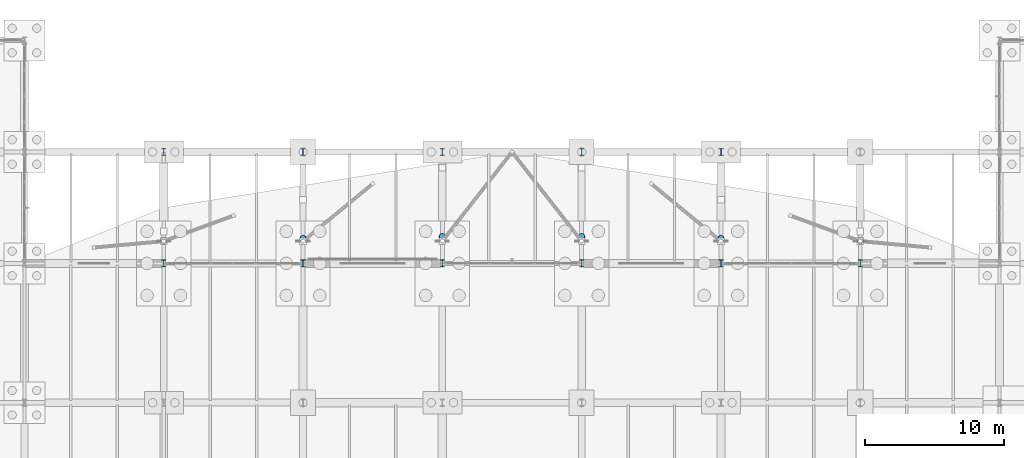
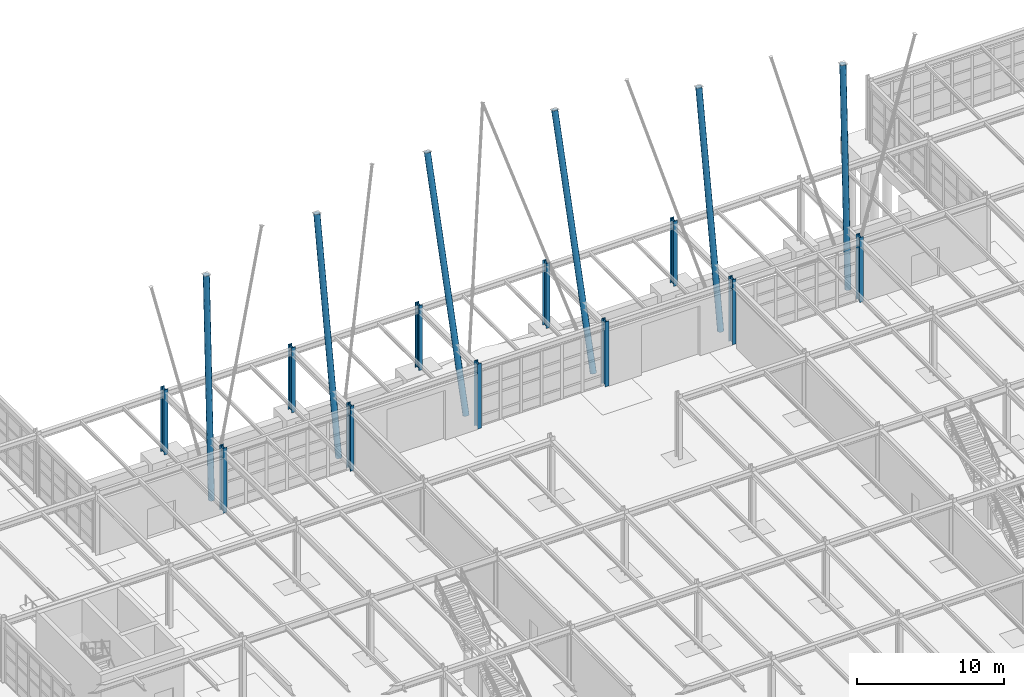
# One storey, part 24 of 145: 17 columns.
"""IFC4 building model written with IfcOpenShell, lengths in metres."""

import ifcopenshell
import ifcopenshell.guid

model = None  # the IFC model being written
_history = None  # IfcOwnerHistory: only IFC2X3 demands one
_inside = {}  # id of a spatial element -> (the spatial element, [elements in it])
_under = {}  # id of a project, library or spatial element -> (it, [spatial elements below it])
_declared = {}  # id of a project -> (the project, [libraries it declares])
_typed = {}  # id of a type object -> (the type object, [elements of that type])
_made_of = {}  # id of a material, layer set ... -> (it, [elements and type objects made of it])


def new_model(schema):
    """Start an empty IFC model of exactly this schema.

    Asked for "IFC4X3", IfcOpenShell would pick the latest addendum, in which some entities
    have other attributes; the version numbers below select the first issue.
    IFC2X3 requires an IfcOwnerHistory on every rooted entity: one is made here for all.
    """
    global model, _history
    if schema == "IFC4X3":
        model = ifcopenshell.file(schema_version=(4, 3, 0, 0))
    else:
        model = ifcopenshell.file(schema=schema)
    _inside.clear()
    _under.clear()
    _declared.clear()
    _typed.clear()
    _made_of.clear()
    _history = None
    if model.schema == "IFC2X3":
        org = make("IfcOrganization", Name="unknown")
        user = make(
            "IfcPersonAndOrganization",
            ThePerson=make("IfcPerson", FamilyName="unknown"),
            TheOrganization=org,
        )
        app = make(
            "IfcApplication",
            ApplicationDeveloper=org,
            Version="unknown",
            ApplicationFullName="unknown",
            ApplicationIdentifier="unknown",
        )
        _history = make(
            "IfcOwnerHistory",
            OwningUser=user,
            OwningApplication=app,
            ChangeAction="ADDED",
            CreationDate=0,
        )
    return model


def make(cls, **values):
    """One entity of the class cls with the attributes given. An attribute that is None is left unset."""
    return model.create_entity(
        cls, **{name: value for name, value in values.items() if value is not None}
    )


def rooted(cls, **values):
    """An entity with a GlobalId (a new one), such as an element, a storey or a relation."""
    return make(cls, GlobalId=ifcopenshell.guid.new(), OwnerHistory=_history, **values)


def si_unit(unit_type, name, prefix=None):
    """IfcSIUnit, for example si_unit("LENGTHUNIT", "METRE", prefix="MILLI")."""
    return make("IfcSIUnit", UnitType=unit_type, Prefix=prefix, Name=name)


def assignment(units):
    """IfcUnitAssignment: the units of a project."""
    return None if units is None else make("IfcUnitAssignment", Units=units)


def point(xyz):
    """IfcCartesianPoint."""
    return None if xyz is None else make("IfcCartesianPoint", Coordinates=xyz)


def direction(xyz):
    """IfcDirection."""
    return None if xyz is None else make("IfcDirection", DirectionRatios=xyz)


def frame(location, z_axis=None, x_axis=None):
    """IfcAxis2Placement3D, a coordinate frame: its origin and axes. An axis left out is left unset."""
    return make(
        "IfcAxis2Placement3D",
        Location=point(location),
        Axis=direction(z_axis),
        RefDirection=direction(x_axis),
    )


def frame_2d(location, x_axis=None):
    """IfcAxis2Placement2D, a coordinate frame in the plane: its origin and x axis."""
    return make(
        "IfcAxis2Placement2D", Location=point(location), RefDirection=direction(x_axis)
    )


def origin():
    """The frame at (0, 0, 0) with its axes left unset."""
    return frame((0.0, 0.0, 0.0))


def origin_2d():
    """The frame at (0, 0) in the plane with its x axis left unset."""
    return frame_2d((0.0, 0.0))


def place(relative_to, where):
    """IfcLocalPlacement: puts the frame where relative to a parent placement (None: the world)."""
    return make(
        "IfcLocalPlacement", PlacementRelTo=relative_to, RelativePlacement=where
    )


def context(
    kind, dimensions, precision=None, world=None, true_north=None, identifier=None
):
    """IfcGeometricRepresentationContext, for example the 3D "Model" context."""
    return make(
        "IfcGeometricRepresentationContext",
        ContextIdentifier=identifier,
        ContextType=kind,
        CoordinateSpaceDimension=dimensions,
        Precision=precision,
        WorldCoordinateSystem=world,
        TrueNorth=true_north,
    )


def subcontext(parent, identifier, kind, view, scale=None):
    """IfcGeometricRepresentationSubContext, for example "Body" below "Model"."""
    return make(
        "IfcGeometricRepresentationSubContext",
        ContextIdentifier=identifier,
        ContextType=kind,
        ParentContext=parent,
        TargetScale=scale,
        TargetView=view,
    )


def project(units=None, contexts=None):
    """IfcProject with its units and contexts."""
    return rooted(
        "IfcProject",
        Name="project",
        RepresentationContexts=contexts,
        UnitsInContext=assignment(units),
    )


def spatial(cls, under=None, at=None, **own):
    """A site, building, storey or space (cls), placed at a placement, below another one or the project."""
    s = rooted(cls, ObjectPlacement=at, **own)
    if under is not None:
        _under.setdefault(under.id(), (under, []))[1].append(s)
    return s


def profile(cls, at=None, kind="AREA", **sizes):
    """A parametric profile (cls). Its sizes go by their IFC names, for example OverallWidth=200.0."""
    return make(cls, ProfileType=kind, Position=at, **sizes)


def hollow_circle(**sizes):
    """IfcCircleHollowProfileDef."""
    return profile("IfcCircleHollowProfileDef", **sizes)


def i_section(**sizes):
    """IfcIShapeProfileDef."""
    return profile("IfcIShapeProfileDef", **sizes)


def extrude(swept, where, along, depth):
    """IfcExtrudedAreaSolid: the profile swept, set in the frame where, extruded along a direction by depth."""
    return make(
        "IfcExtrudedAreaSolid",
        SweptArea=swept,
        Position=where,
        ExtrudedDirection=direction(along),
        Depth=depth,
    )


def shape(context_of_items, identifier, shape_type, items):
    """IfcShapeRepresentation: the items that make up one representation, for example the "Body"."""
    return make(
        "IfcShapeRepresentation",
        ContextOfItems=context_of_items,
        RepresentationIdentifier=identifier,
        RepresentationType=shape_type,
        Items=items,
    )


def material(Name=None, Category=None):
    """IfcMaterial."""
    return make("IfcMaterial", Name=Name, Category=Category)


def material_profile(
    of_material, cross_section, Name=None, Category=None, Priority=None
):
    """IfcMaterialProfile: a cross section and its material."""
    return make(
        "IfcMaterialProfile",
        Name=Name,
        Material=of_material,
        Profile=cross_section,
        Priority=Priority,
        Category=Category,
    )


def profile_set(profiles, Name=None, composite=None):
    """IfcMaterialProfileSet."""
    return make(
        "IfcMaterialProfileSet",
        Name=Name,
        MaterialProfiles=profiles,
        CompositeProfile=composite,
    )


def made_of(thing, what):
    """Note that an element or type object is made of a material, layer set ...; save() writes the relation."""
    if what is not None:
        _made_of.setdefault(what.id(), (what, []))[1].append(thing)
    return thing


def type_object(cls, material=None, **own):
    """A type object (cls), such as IfcWallType, which elements share."""
    return made_of(rooted(cls, **own), material)


def element(
    cls,
    number,
    at=None,
    inside=None,
    cuts=None,
    type_object=None,
    material=None,
    context=None,
    identifier="Body",
    shape_type=None,
    held_by="IfcProductDefinitionShape",
    body=None,
    shapes=None,
    **own,
):
    """One element of the class cls, such as IfcWall. Its Tag is "e" and its number.

    at: its placement. inside: the storey or other place that contains it. cuts: it is an
    opening in that element (IfcRelVoidsElement). A single representation is given by context,
    identifier, shape_type and body (its items); several are given by shapes. held_by: the class
    of the entity that holds the representations. save() writes the other relations.
    """
    e = rooted(cls, Tag="e%d" % number, ObjectPlacement=at, **own)
    if body is not None:
        shapes = [shape(context, identifier, shape_type, body)]
    if shapes is not None:
        e.Representation = make(held_by, Representations=shapes)
    if inside is not None:
        _inside.setdefault(inside.id(), (inside, []))[1].append(e)
    if cuts is not None:
        rooted(
            "IfcRelVoidsElement", RelatingBuildingElement=cuts, RelatedOpeningElement=e
        )
    if type_object is not None:
        _typed.setdefault(type_object.id(), (type_object, []))[1].append(e)
    return made_of(e, material)


def aggregate(whole, parts):
    """IfcRelAggregates: a whole, such as a stair, and the parts it consists of."""
    return rooted("IfcRelAggregates", RelatingObject=whole, RelatedObjects=parts)


def save(model, path):
    """Write the relations noted so far, then the file.

    IfcRelAggregates (storeys below a building ...), IfcRelContainedInSpatialStructure (elements
    in a storey), IfcRelDefinesByType, IfcRelAssociatesMaterial and IfcRelDeclares: one each for
    every whole, place, type object, material and project.
    """
    for whole, parts in _under.values():
        aggregate(whole, parts)
    for where, things in _inside.values():
        rooted(
            "IfcRelContainedInSpatialStructure",
            RelatedElements=things,
            RelatingStructure=where,
        )
    for kind, things in _typed.values():
        rooted("IfcRelDefinesByType", RelatedObjects=things, RelatingType=kind)
    for what, things in _made_of.values():
        rooted("IfcRelAssociatesMaterial", RelatedObjects=things, RelatingMaterial=what)
    for by, libraries in _declared.values():
        rooted("IfcRelDeclares", RelatingContext=by, RelatedDefinitions=libraries)
    model.write(path)


model = new_model("IFC4")

# Units and contexts
model_context = context("Model", 3, precision=1e-05, world=origin(), true_north=direction((0.0, 1.0)))
body_context = subcontext(model_context, "Body", "Model", "MODEL_VIEW")
ifc_project = project(units=[si_unit("LENGTHUNIT", "METRE"), si_unit("AREAUNIT", "SQUARE_METRE"), si_unit("VOLUMEUNIT", "CUBIC_METRE"), si_unit("PLANEANGLEUNIT", "RADIAN"), si_unit("MASSUNIT", "GRAM", prefix="KILO"), si_unit("THERMODYNAMICTEMPERATUREUNIT", "KELVIN"), si_unit("POWERUNIT", "WATT")], contexts=[model_context])

# Site, building, storey
site_placement = place(None, origin())
site = spatial("IfcSite", under=ifc_project, at=site_placement, CompositionType="ELEMENT")
building_placement = place(site_placement, origin())
building = spatial("IfcBuilding", under=site, at=building_placement, Name="Korenveer Ferry Terminal", CompositionType="ELEMENT")
storey_placement = place(building_placement, origin())
storey = spatial("IfcBuildingStorey", under=building, at=storey_placement, Name="L00", CompositionType="ELEMENT", Elevation=0.0)

# Columns
ifc_material = material(Name="Steel S355", Category="steel")
ifc_material_profile_1 = material_profile(ifc_material, hollow_circle(Radius=0.228515625, WallThickness=0.02001953125, at=origin_2d()), Name="CHS 457x20")
ifc_profile_set_1 = profile_set([ifc_material_profile_1], Name="Steel S355")
column_type_1 = type_object("IfcColumnType", Name="STR-COL-CHS457", PredefinedType="COLUMN", material=ifc_profile_set_1)
column_1_placement = place(storey_placement, frame((63.0, 101.60009765625, 0.0), z_axis=(0.0, 0.037497163408, 0.999296734077), x_axis=(-1.0, 0.0, 0.0)))
element("IfcColumn", 1, at=column_1_placement, inside=storey, type_object=column_type_1, Name="Waterfront prow V-column VCOL-PTIP-63", PredefinedType="COLUMN", context=body_context, shape_type="SweptSolid", body=[
    extrude(hollow_circle(Radius=0.228515625, WallThickness=0.02001953125, at=origin_2d()), origin(), (0.0, 0.0, 1.0), 18.28271484375),
])
column_2_placement = place(storey_placement, frame((73.0, 101.60009765625, 0.0), z_axis=(0.0, 0.158775515374, 0.987314709562), x_axis=(-1.0, 0.0, 0.0)))
element("IfcColumn", 2, at=column_2_placement, inside=storey, type_object=column_type_1, Name="Waterfront prow V-column VCOL-PTIP-73", PredefinedType="COLUMN", context=body_context, shape_type="SweptSolid", body=[
    extrude(hollow_circle(Radius=0.228515625, WallThickness=0.02001953125, at=origin_2d()), origin(), (0.0, 0.0, 1.0), 18.714599609375),
])
for number, where, z_axis, x_axis, name in (
    (3, (83.0, 101.60009765625, 0.0), (0.0, 0.270839915558, 0.962624402423), (-1.0, 0.0, 0.0), "Waterfront prow V-column VCOL-PTIP-83"),
    (4, (93.0, 101.60009765625, 0.0), (0.0, 0.270839915558, 0.962624402423), (-1.0, 0.0, 0.0), "Waterfront prow V-column VCOL-PTIP-93"),
):
    element("IfcColumn", number, at=place(storey_placement, frame(where, z_axis=z_axis, x_axis=x_axis)), inside=storey, type_object=column_type_1, Name=name, PredefinedType="COLUMN", context=body_context, shape_type="SweptSolid", body=[
        extrude(hollow_circle(Radius=0.228515625, WallThickness=0.02001953125, at=origin_2d()), origin(), (0.0, 0.0, 1.0), 19.410400390625),
    ])
column_3_placement = place(storey_placement, frame((103.0, 101.60009765625, 0.0), z_axis=(0.0, 0.158775515374, 0.987314709562), x_axis=(-1.0, 0.0, 0.0)))
element("IfcColumn", 5, at=column_3_placement, inside=storey, type_object=column_type_1, Name="Waterfront prow V-column VCOL-PTIP-103", PredefinedType="COLUMN", context=body_context, shape_type="SweptSolid", body=[
    extrude(hollow_circle(Radius=0.228515625, WallThickness=0.02001953125, at=origin_2d()), origin(), (0.0, 0.0, 1.0), 18.714599609375),
])
column_4_placement = place(storey_placement, frame((113.0, 101.60009765625, 0.0), z_axis=(0.0, 0.037497163408, 0.999296734077), x_axis=(-1.0, 0.0, 0.0)))
element("IfcColumn", 6, at=column_4_placement, inside=storey, type_object=column_type_1, Name="Waterfront prow V-column VCOL-PTIP-113", PredefinedType="COLUMN", context=body_context, shape_type="SweptSolid", body=[
    extrude(hollow_circle(Radius=0.228515625, WallThickness=0.02001953125, at=origin_2d()), origin(), (0.0, 0.0, 1.0), 18.28271484375),
])
ifc_material_profile_2 = material_profile(ifc_material, i_section(OverallWidth=0.300048828125, OverallDepth=0.5, WebThickness=0.014404296875, FlangeThickness=0.028076171875, FilletRadius=0.027099609375, at=origin_2d()), Name="HEB 500")
ifc_profile_set_2 = profile_set([ifc_material_profile_2], Name="Steel S355")
column_type_2 = type_object("IfcColumnType", Name="STR-COL-HEB500", PredefinedType="COLUMN", material=ifc_profile_set_2)
for number, where, z_axis, x_axis, name in (
    (7, (63.0, 100.0, 0.0), (0.0, 0.0, 1.0), (1.0, 0.0, 0.0), "Column COL-L00-X63-Y100"),
    (8, (63.0, 108.0, 0.0), (0.0, 0.0, 1.0), (1.0, 0.0, 0.0), "Column COL-L00-X63-Y108"),
    (9, (73.0, 100.0, 0.0), (0.0, 0.0, 1.0), (1.0, 0.0, 0.0), "Column COL-L00-X73-Y100"),
    (10, (73.0, 108.0, 0.0), (0.0, 0.0, 1.0), (1.0, 0.0, 0.0), "Column COL-L00-X73-Y108"),
    (11, (83.0, 100.0, 0.0), (0.0, 0.0, 1.0), (1.0, 0.0, 0.0), "Column COL-L00-X83-Y100"),
    (12, (83.0, 108.0, 0.0), (0.0, 0.0, 1.0), (1.0, 0.0, 0.0), "Column COL-L00-X83-Y108"),
    (13, (93.0, 100.0, 0.0), (0.0, 0.0, 1.0), (1.0, 0.0, 0.0), "Column COL-L00-X93-Y100"),
    (14, (93.0, 108.0, 0.0), (0.0, 0.0, 1.0), (1.0, 0.0, 0.0), "Column COL-L00-X93-Y108"),
    (15, (103.0, 100.0, 0.0), (0.0, 0.0, 1.0), (1.0, 0.0, 0.0), "Column COL-L00-X103-Y100"),
    (16, (103.0, 108.0, 0.0), (0.0, 0.0, 1.0), (1.0, 0.0, 0.0), "Column COL-L00-X103-Y108"),
    (17, (113.0, 100.0, 0.0), (0.0, 0.0, 1.0), (1.0, 0.0, 0.0), "Column COL-L00-X113-Y100"),
):
    element("IfcColumn", number, at=place(storey_placement, frame(where, z_axis=z_axis, x_axis=x_axis)), inside=storey, type_object=column_type_2, Name=name, PredefinedType="COLUMN", context=body_context, shape_type="SweptSolid", body=[
        extrude(i_section(OverallWidth=0.300048828125, OverallDepth=0.5, WebThickness=0.014404296875, FlangeThickness=0.028076171875, FilletRadius=0.027099609375, at=origin_2d()), origin(), (0.0, 0.0, 1.0), 5.39990234375),
    ])

save(model, "model.ifc")
